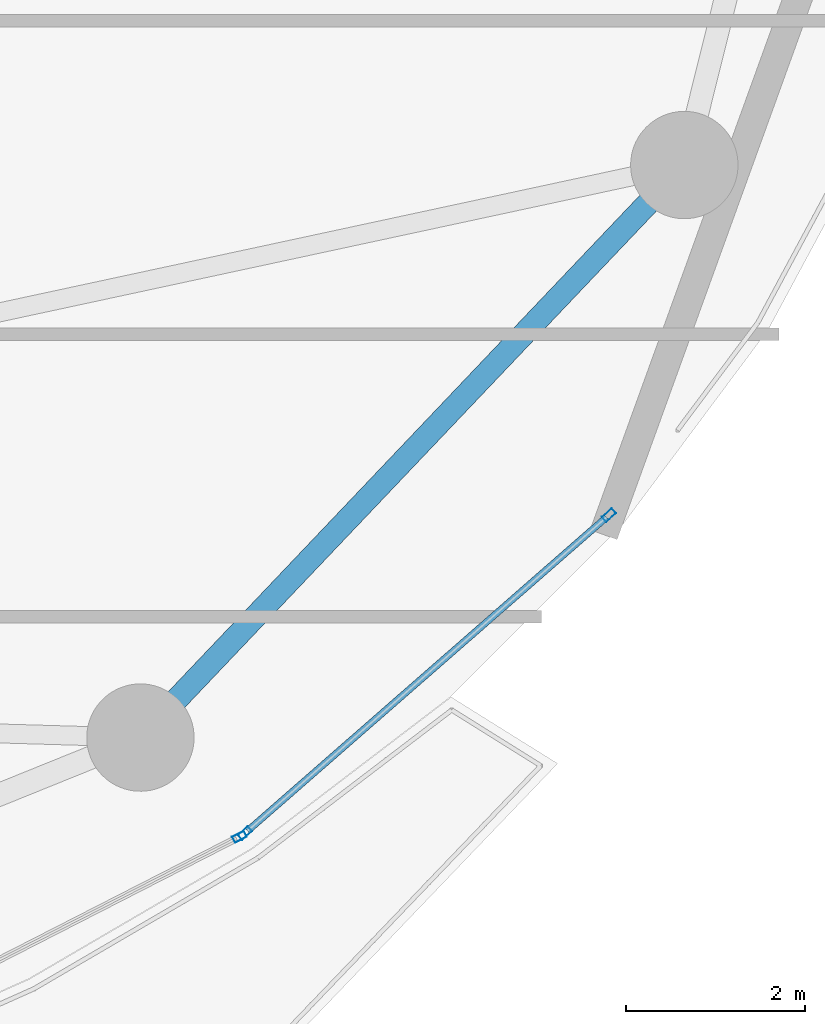
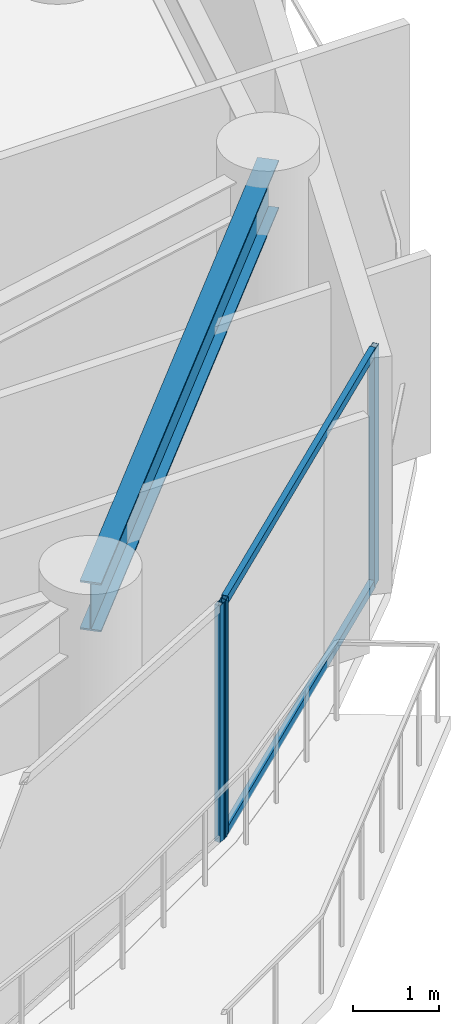
# One storey, part 13 of 31: 5 members, 1 beam, 2 elements without a shape of their own.
"""IFC4 building model written with IfcOpenShell, lengths in metres."""

from ifc_helpers import new_model, si_unit, direction, frame, origin, origin_2d, place, context, subcontext, project, spatial, hollow_rectangle, i_section, extrude, material, layer, layer_set, material_profile, profile_set, type_object, element, aggregate, save


model = new_model("IFC4")

# Units and contexts
model_context = context("Model", 3, precision=1e-05, world=origin(), true_north=direction((0.0, 1.0)))
body_context = subcontext(model_context, "Body", "Model", "MODEL_VIEW")
ifc_project = project(units=[si_unit("LENGTHUNIT", "METRE"), si_unit("AREAUNIT", "SQUARE_METRE"), si_unit("VOLUMEUNIT", "CUBIC_METRE"), si_unit("PLANEANGLEUNIT", "RADIAN"), si_unit("MASSUNIT", "GRAM", prefix="KILO")], contexts=[model_context])

# Site, building, storey
site_placement = place(None, origin())
site = spatial("IfcSite", under=ifc_project, at=site_placement, CompositionType="ELEMENT")
building_placement = place(site_placement, origin())
building = spatial("IfcBuilding", under=site, at=building_placement, Name="Kazevale Care Tower and Concert Hall", CompositionType="ELEMENT")
storey_placement = place(building_placement, frame((0.0, 0.0, 117.0)))
storey = spatial("IfcBuildingStorey", under=building, at=storey_placement, Name="L30", CompositionType="ELEMENT", Elevation=117.0)

# Curtain wall, members
ifc_material_1 = material(Name="Aluminium 6063-T6 and Low-E Glass", Category="aluminium")
ifc_layer = layer(ifc_material_1, 0.179931640625)
ifc_layer_set = layer_set([ifc_layer], Name="Aluminium 6063-T6 and Low-E Glass")
curtain_wall_type = type_object("IfcCurtainWallType", Name="Sheltered Concave Balcony Curtain Wall CW-5", PredefinedType="NOTDEFINED", material=ifc_layer_set)
curtain_wall_1_placement = place(storey_placement, origin())
curtain_wall_1 = element("IfcCurtainWall", 1, at=curtain_wall_1_placement, inside=storey, type_object=curtain_wall_type, Name="cw:L30:f02", PredefinedType="NOTDEFINED")
ifc_material_2 = material(Name="Aluminium 6063-T6", Category="aluminium")
ifc_material_profile_1 = material_profile(ifc_material_2, hollow_rectangle(XDim=0.074951171875, YDim=0.14990234375, WallThickness=0.00390625, at=origin_2d()), Name="ALU75x150x4")
ifc_profile_set_1 = profile_set([ifc_material_profile_1], Name="Aluminium 6063-T6")
member_type_1 = type_object("IfcMemberType", Name="CW-5 Mullion ALU75x150x4", PredefinedType="MULLION", material=ifc_profile_set_1)
member_1_placement = place(storey_placement, frame((70.06787109375, 25.477294921875, 0.0), z_axis=(0.0, 0.0, 1.0), x_axis=(0.657948668382, -0.753062779437, 0.0)))
member_1 = element("IfcMember", 2, at=member_1_placement, type_object=member_type_1, Name="CW-5 mullion 1", PredefinedType="MULLION", context=body_context, shape_type="SweptSolid", body=[
    extrude(hollow_rectangle(XDim=0.074951171875, YDim=0.14990234375, WallThickness=0.00390625, at=origin_2d()), origin(), (0.0, 0.0, 1.0), 3.360107421875),
])
member_2_placement = place(storey_placement, frame((65.999267578125, 21.922607421875, 0.0), z_axis=(0.0, 0.0, 1.0), x_axis=(0.657948668382, -0.753062779437, 0.0)))
member_2 = element("IfcMember", 3, at=member_2_placement, type_object=member_type_1, Name="CW-5 mullion 2", PredefinedType="MULLION", context=body_context, shape_type="SweptSolid", body=[
    extrude(hollow_rectangle(XDim=0.074951171875, YDim=0.14990234375, WallThickness=0.00390625, at=origin_2d()), origin(), (0.0, 0.0, 1.0), 3.360107421875),
])

# Curtain wall, member
curtain_wall_2_placement = place(storey_placement, origin())
curtain_wall_2 = element("IfcCurtainWall", 4, at=curtain_wall_2_placement, inside=storey, type_object=curtain_wall_type, Name="cw:L30:f03", PredefinedType="NOTDEFINED")
member_3_placement = place(storey_placement, frame((65.9375, 21.880859375, 0.0), z_axis=(0.0, 0.0, 1.0), x_axis=(0.455713236575, -0.890126646051, 0.0)))
member_3 = element("IfcMember", 5, at=member_3_placement, type_object=member_type_1, Name="CW-5 mullion 1", PredefinedType="MULLION", context=body_context, shape_type="SweptSolid", body=[
    extrude(hollow_rectangle(XDim=0.074951171875, YDim=0.14990234375, WallThickness=0.00390625, at=origin_2d()), origin(), (0.0, 0.0, 1.0), 3.360107421875),
])
aggregate(curtain_wall_2, [member_3])

# Member
ifc_material_profile_2 = material_profile(ifc_material_2, hollow_rectangle(XDim=0.074951171875, YDim=0.1201171875, WallThickness=0.00390625, at=origin_2d()), Name="ALU75x120x4")
ifc_profile_set_2 = profile_set([ifc_material_profile_2], Name="Aluminium 6063-T6")
member_type_2 = type_object("IfcMemberType", Name="CW-5 Transom ALU75x120x4", PredefinedType="USERDEFINED", material=ifc_profile_set_2)
member_4_placement = place(storey_placement, frame((70.03955078125, 25.45263671875, 0.03759765625), z_axis=(-0.753050570644, -0.657962641837, 0.0), x_axis=(0.657962641837, -0.753050570644, 0.0)))
member_4 = element("IfcMember", 6, at=member_4_placement, type_object=member_type_2, Name="CW-5 transom 1.1", ObjectType="TRANSOM", PredefinedType="USERDEFINED", context=body_context, shape_type="SweptSolid", body=[
    extrude(hollow_rectangle(XDim=0.074951171875, YDim=0.1201171875, WallThickness=0.00390625, at=origin_2d()), origin(), (0.0, 0.0, 1.0), 5.32763671875),
])

member_5_placement = place(storey_placement, frame((70.03955078125, 25.45263671875, 3.322509765625), z_axis=(-0.753050570644, -0.657962641837, 0.0), x_axis=(0.657962641837, -0.753050570644, 0.0)))
member_5 = element("IfcMember", 7, at=member_5_placement, type_object=member_type_2, Name="CW-5 transom 1.2", ObjectType="TRANSOM", PredefinedType="USERDEFINED", context=body_context, shape_type="SweptSolid", body=[
    extrude(hollow_rectangle(XDim=0.074951171875, YDim=0.1201171875, WallThickness=0.00390625, at=origin_2d()), origin(), (0.0, 0.0, 1.0), 5.32763671875),
])

aggregate(curtain_wall_1, [member_1, member_2, member_4, member_5])

# Beam
ifc_material_3 = material(Name="Steel ASTM A572 Gr 50", Category="steel")
ifc_material_profile_3 = material_profile(ifc_material_3, i_section(OverallWidth=0.256103515625, OverallDepth=0.693115234375, WebThickness=0.014404296875, FlangeThickness=0.023681640625, at=origin_2d()), Name="W690x170")
ifc_profile_set_3 = profile_set([ifc_material_profile_3], Name="Steel ASTM A572 Gr 50")
beam_type = type_object("IfcBeamType", Name="Waist Ring Beam W690x170", PredefinedType="BEAM", material=ifc_profile_set_3)
beam_placement = place(storey_placement, frame((64.830078125, 22.989990234375, 3.013427734375), z_axis=(0.688745100728, 0.725003576697, 0.0), x_axis=(-0.725003576697, 0.688745100728, 0.0)))
element("IfcBeam", 8, at=beam_placement, inside=storey, type_object=beam_type, Name="beam:L30:ring:15", PredefinedType="BEAM", context=body_context, shape_type="SweptSolid", body=[
    extrude(i_section(OverallWidth=0.256103515625, OverallDepth=0.693115234375, WebThickness=0.014404296875, FlangeThickness=0.023681640625, at=origin_2d()), origin(), (0.0, 0.0, 1.0), 8.827392578125),
])

save(model, "model.ifc")
